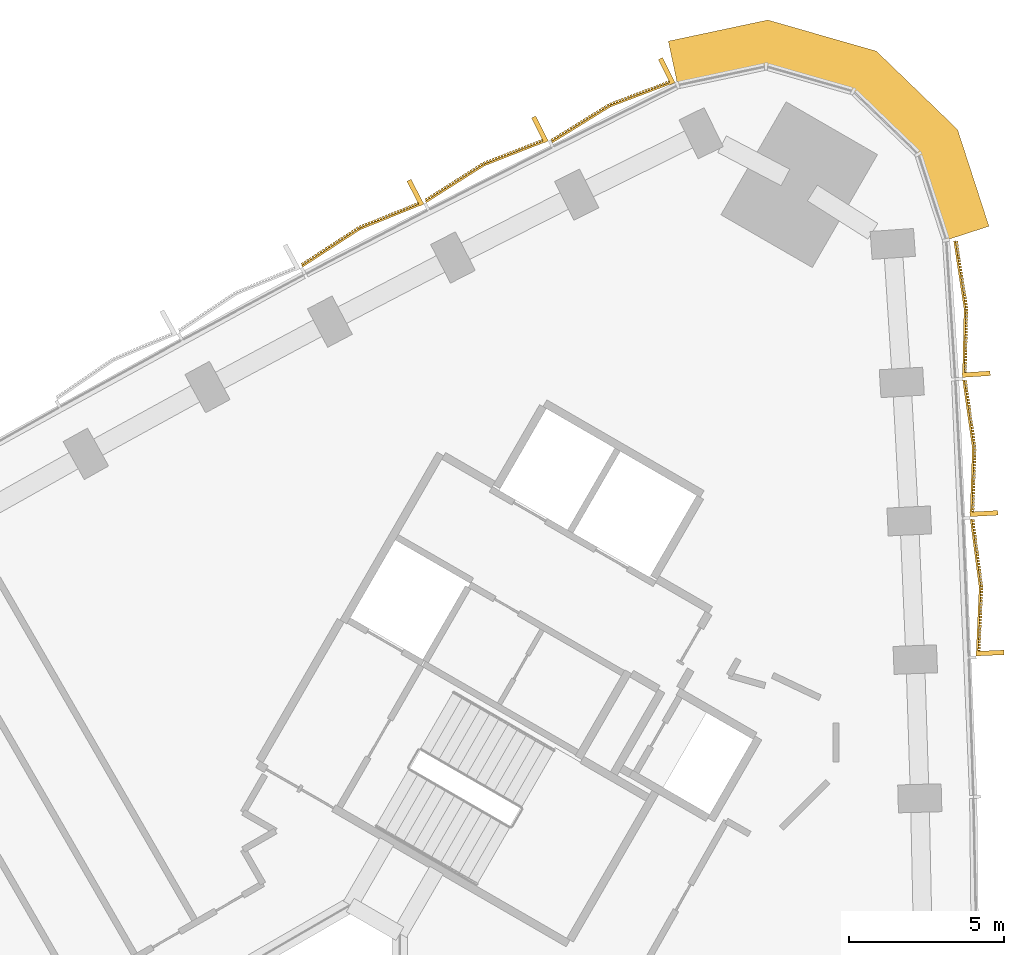
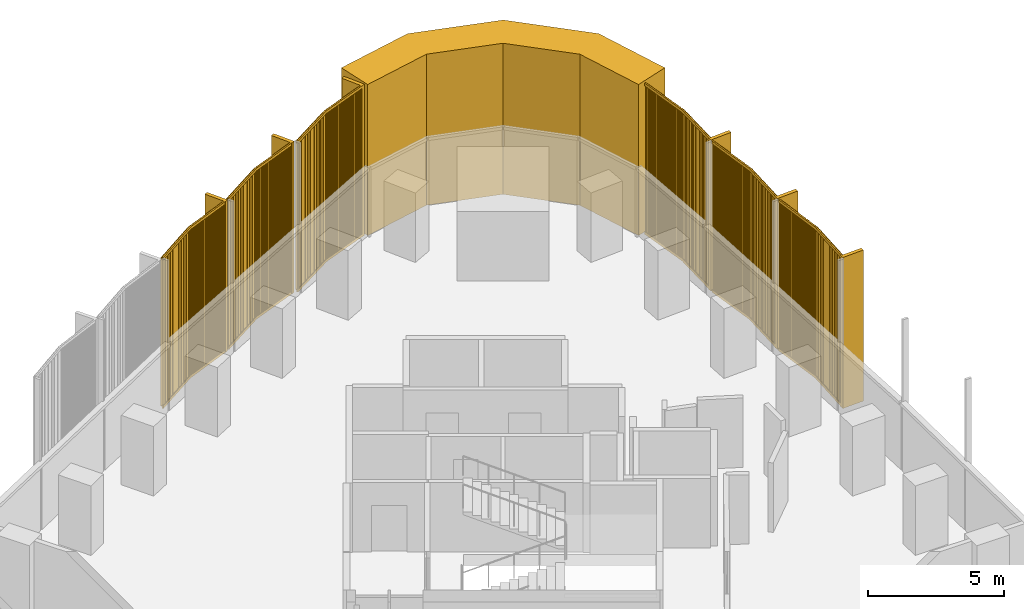
# One storey, part 15 of 15: 7 coverings.
"""IFC4 building model written with IfcOpenShell, lengths in metres."""

from ifc_helpers import new_model, si_unit, direction, frame, frame_2d, origin, place, context, subcontext, project, spatial, polyline, rectangle, outline, extrude, source, transform, mapped, material, layer, layer_set, type_object, element, save


model = new_model("IFC4")

# Units and contexts
model_context = context("Model", 3, precision=1e-05, world=origin(), true_north=direction((0.0, 1.0)))
body_context = subcontext(model_context, "Body", "Model", "MODEL_VIEW")
ifc_project = project(units=[si_unit("LENGTHUNIT", "METRE"), si_unit("AREAUNIT", "SQUARE_METRE"), si_unit("VOLUMEUNIT", "CUBIC_METRE"), si_unit("PLANEANGLEUNIT", "RADIAN"), si_unit("MASSUNIT", "GRAM", prefix="KILO")], contexts=[model_context])

# Site, building, storey
site_placement = place(None, origin())
site = spatial("IfcSite", under=ifc_project, at=site_placement, CompositionType="ELEMENT")
building_placement = place(site_placement, origin())
building = spatial("IfcBuilding", under=site, at=building_placement, Name="Tamra Quay Hotel Tower", CompositionType="ELEMENT")
storey_placement = place(building_placement, frame((0.0, 0.0, 67.39990234375)))
storey = spatial("IfcBuildingStorey", under=building, at=storey_placement, Name="L15", CompositionType="ELEMENT", Elevation=67.39990234375)

# Coverings
ifc_material_1 = material(Name="Precast concrete M60 terracotta-coloured", Category="masonry")
ifc_layer = layer(ifc_material_1, 1.449951171875)
ifc_layer_set = layer_set([ifc_layer], Name="CORNER PIER PANEL")
covering_type_1 = type_object("IfcCoveringType", Name="CORNER PIER PANEL", PredefinedType="CLADDING", material=ifc_layer_set)
covering_placement = place(storey_placement, origin())
element("IfcCovering", 1, at=covering_placement, inside=storey, type_object=covering_type_1, Name="Corner pier L15.east", PredefinedType="CLADDING", context=body_context, shape_type="SweptSolid", body=[
    extrude(outline(polyline([(22.598876953125, 29.154296875), (23.977783203125, 29.602294921875), (22.96533203125, 32.718017578125), (20.3486328125, 35.244873046875), (16.85205078125, 36.24755859375), (13.6474609375, 35.56640625), (13.948974609375, 34.148193359375), (16.7998046875, 34.754150390625), (19.601318359375, 33.95068359375), (21.697998046875, 31.926025390625), (22.598876953125, 29.154296875)])), origin(), (0.0, 0.0, 1.0), 6.800048828125),
])
ifc_material_2 = material(Name="Terracotta baguette extruded", Category="masonry")
covering_type_2 = type_object("IfcCoveringType", Name="BAGUETTE SCREEN E-V H6800", PredefinedType="USERDEFINED", material=ifc_material_2)
shared_shape_1 = source(origin(), body_context, "Body", "SweptSolid", [
    extrude(rectangle(XDim=2.2109375, YDim=0.06005859375, at=frame_2d((1.10546875, 0.030029296875))), frame((-2.207763671875, -0.057861328125, -0.1201171875), z_axis=(0.0, 0.0, 1.0), x_axis=(0.996194698092, -0.087155742748, 0.0)), (0.0, 0.0, 1.0), 0.1201171875),
    extrude(rectangle(XDim=2.2109375, YDim=0.06005859375, at=frame_2d((1.10546875, 0.030029296875))), frame((-2.207763671875, -0.057861328125, -6.800048828125), z_axis=(0.0, 0.0, 1.0), x_axis=(0.996194698092, -0.087155742748, 0.0)), (0.0, 0.0, 1.0), 0.1201171875),
    extrude(rectangle(XDim=0.070068359375, YDim=0.10009765625, at=frame_2d((0.03515625, 0.050048828125))), frame((-2.1875, -0.13232421875, -6.739990234375)), (0.0, 0.0, 1.0), 6.679931640625),
    extrude(rectangle(XDim=0.070068359375, YDim=0.10009765625, at=frame_2d((0.03515625, 0.050048828125))), frame((-2.08740234375, -0.14111328125, -6.739990234375)), (0.0, 0.0, 1.0), 6.679931640625),
    extrude(rectangle(XDim=0.070068359375, YDim=0.10009765625, at=frame_2d((0.03515625, 0.050048828125))), frame((-1.9873046875, -0.14990234375, -6.739990234375)), (0.0, 0.0, 1.0), 6.679931640625),
    extrude(rectangle(XDim=0.070068359375, YDim=0.10009765625, at=frame_2d((0.03515625, 0.050048828125))), frame((-1.88720703125, -0.15869140625, -6.739990234375)), (0.0, 0.0, 1.0), 6.679931640625),
    extrude(rectangle(XDim=0.070068359375, YDim=0.10009765625, at=frame_2d((0.03515625, 0.050048828125))), frame((-1.787109375, -0.16748046875, -6.739990234375)), (0.0, 0.0, 1.0), 6.679931640625),
    extrude(rectangle(XDim=0.070068359375, YDim=0.10009765625, at=frame_2d((0.03515625, 0.050048828125))), frame((-1.686767578125, -0.17626953125, -6.739990234375)), (0.0, 0.0, 1.0), 6.679931640625),
    extrude(rectangle(XDim=0.070068359375, YDim=0.10009765625, at=frame_2d((0.03515625, 0.050048828125))), frame((-1.586669921875, -0.184814453125, -6.739990234375)), (0.0, 0.0, 1.0), 6.679931640625),
    extrude(rectangle(XDim=0.070068359375, YDim=0.10009765625, at=frame_2d((0.03515625, 0.050048828125))), frame((-1.486572265625, -0.193603515625, -6.739990234375)), (0.0, 0.0, 1.0), 6.679931640625),
    extrude(rectangle(XDim=0.070068359375, YDim=0.10009765625, at=frame_2d((0.03515625, 0.050048828125))), frame((-1.386474609375, -0.202392578125, -6.739990234375)), (0.0, 0.0, 1.0), 6.679931640625),
    extrude(rectangle(XDim=0.070068359375, YDim=0.10009765625, at=frame_2d((0.03515625, 0.050048828125))), frame((-1.286376953125, -0.211181640625, -6.739990234375)), (0.0, 0.0, 1.0), 6.679931640625),
    extrude(rectangle(XDim=0.070068359375, YDim=0.10009765625, at=frame_2d((0.03515625, 0.050048828125))), frame((-1.186279296875, -0.219970703125, -6.739990234375)), (0.0, 0.0, 1.0), 6.679931640625),
    extrude(rectangle(XDim=0.070068359375, YDim=0.10009765625, at=frame_2d((0.03515625, 0.050048828125))), frame((-1.086181640625, -0.228759765625, -6.739990234375)), (0.0, 0.0, 1.0), 6.679931640625),
    extrude(rectangle(XDim=0.070068359375, YDim=0.10009765625, at=frame_2d((0.03515625, 0.050048828125))), frame((-0.986083984375, -0.237548828125, -6.739990234375)), (0.0, 0.0, 1.0), 6.679931640625),
    extrude(rectangle(XDim=0.070068359375, YDim=0.10009765625, at=frame_2d((0.03515625, 0.050048828125))), frame((-0.885986328125, -0.246337890625, -6.739990234375)), (0.0, 0.0, 1.0), 6.679931640625),
    extrude(rectangle(XDim=0.070068359375, YDim=0.10009765625, at=frame_2d((0.03515625, 0.050048828125))), frame((-0.785888671875, -0.2548828125, -6.739990234375)), (0.0, 0.0, 1.0), 6.679931640625),
    extrude(rectangle(XDim=0.070068359375, YDim=0.10009765625, at=frame_2d((0.03515625, 0.050048828125))), frame((-0.685791015625, -0.263671875, -6.739990234375)), (0.0, 0.0, 1.0), 6.679931640625),
    extrude(rectangle(XDim=0.070068359375, YDim=0.10009765625, at=frame_2d((0.03515625, 0.050048828125))), frame((-0.585693359375, -0.2724609375, -6.739990234375)), (0.0, 0.0, 1.0), 6.679931640625),
    extrude(rectangle(XDim=0.070068359375, YDim=0.10009765625, at=frame_2d((0.03515625, 0.050048828125))), frame((-0.485595703125, -0.28125, -6.739990234375)), (0.0, 0.0, 1.0), 6.679931640625),
    extrude(rectangle(XDim=0.070068359375, YDim=0.10009765625, at=frame_2d((0.03515625, 0.050048828125))), frame((-0.385498046875, -0.2900390625, -6.739990234375)), (0.0, 0.0, 1.0), 6.679931640625),
    extrude(rectangle(XDim=0.070068359375, YDim=0.10009765625, at=frame_2d((0.03515625, 0.050048828125))), frame((-0.285400390625, -0.298828125, -6.739990234375)), (0.0, 0.0, 1.0), 6.679931640625),
    extrude(rectangle(XDim=0.070068359375, YDim=0.10009765625, at=frame_2d((0.03515625, 0.050048828125))), frame((-0.18505859375, -0.3076171875, -6.739990234375)), (0.0, 0.0, 1.0), 6.679931640625),
    extrude(rectangle(XDim=0.070068359375, YDim=0.10009765625, at=frame_2d((0.03515625, 0.050048828125))), frame((-0.0849609375, -0.31640625, -6.739990234375)), (0.0, 0.0, 1.0), 6.679931640625),
    extrude(rectangle(XDim=2.2109375, YDim=0.06005859375, at=frame_2d((1.10546875, 0.030029296875))), frame((0.005126953125, -0.25048828125, -0.1201171875), z_axis=(0.0, 0.0, 1.0), x_axis=(0.996194698092, 0.087155742748, 0.0)), (0.0, 0.0, 1.0), 0.1201171875),
    extrude(rectangle(XDim=2.2109375, YDim=0.06005859375, at=frame_2d((1.10546875, 0.030029296875))), frame((0.005126953125, -0.25048828125, -6.800048828125), z_axis=(0.0, 0.0, 1.0), x_axis=(0.996194698092, 0.087155742748, 0.0)), (0.0, 0.0, 1.0), 0.1201171875),
    extrude(rectangle(XDim=0.070068359375, YDim=0.10009765625, at=frame_2d((0.03515625, 0.050048828125))), frame((0.01513671875, -0.31640625, -6.739990234375)), (0.0, 0.0, 1.0), 6.679931640625),
    extrude(rectangle(XDim=0.070068359375, YDim=0.10009765625, at=frame_2d((0.03515625, 0.050048828125))), frame((0.115234375, -0.3076171875, -6.739990234375)), (0.0, 0.0, 1.0), 6.679931640625),
    extrude(rectangle(XDim=0.070068359375, YDim=0.10009765625, at=frame_2d((0.03515625, 0.050048828125))), frame((0.21533203125, -0.298828125, -6.739990234375)), (0.0, 0.0, 1.0), 6.679931640625),
    extrude(rectangle(XDim=0.070068359375, YDim=0.10009765625, at=frame_2d((0.03515625, 0.050048828125))), frame((0.3154296875, -0.2900390625, -6.739990234375)), (0.0, 0.0, 1.0), 6.679931640625),
    extrude(rectangle(XDim=0.070068359375, YDim=0.10009765625, at=frame_2d((0.03515625, 0.050048828125))), frame((0.41552734375, -0.28125, -6.739990234375)), (0.0, 0.0, 1.0), 6.679931640625),
    extrude(rectangle(XDim=0.070068359375, YDim=0.10009765625, at=frame_2d((0.03515625, 0.050048828125))), frame((0.515625, -0.2724609375, -6.739990234375)), (0.0, 0.0, 1.0), 6.679931640625),
    extrude(rectangle(XDim=0.070068359375, YDim=0.10009765625, at=frame_2d((0.03515625, 0.050048828125))), frame((0.61572265625, -0.263671875, -6.739990234375)), (0.0, 0.0, 1.0), 6.679931640625),
    extrude(rectangle(XDim=0.070068359375, YDim=0.10009765625, at=frame_2d((0.03515625, 0.050048828125))), frame((0.7158203125, -0.2548828125, -6.739990234375)), (0.0, 0.0, 1.0), 6.679931640625),
    extrude(rectangle(XDim=0.070068359375, YDim=0.10009765625, at=frame_2d((0.03515625, 0.050048828125))), frame((0.81591796875, -0.246337890625, -6.739990234375)), (0.0, 0.0, 1.0), 6.679931640625),
    extrude(rectangle(XDim=0.070068359375, YDim=0.10009765625, at=frame_2d((0.03515625, 0.050048828125))), frame((0.916015625, -0.237548828125, -6.739990234375)), (0.0, 0.0, 1.0), 6.679931640625),
    extrude(rectangle(XDim=0.070068359375, YDim=0.10009765625, at=frame_2d((0.03515625, 0.050048828125))), frame((1.01611328125, -0.228759765625, -6.739990234375)), (0.0, 0.0, 1.0), 6.679931640625),
    extrude(rectangle(XDim=0.070068359375, YDim=0.10009765625, at=frame_2d((0.03515625, 0.050048828125))), frame((1.1162109375, -0.219970703125, -6.739990234375)), (0.0, 0.0, 1.0), 6.679931640625),
    extrude(rectangle(XDim=0.070068359375, YDim=0.10009765625, at=frame_2d((0.03515625, 0.050048828125))), frame((1.21630859375, -0.211181640625, -6.739990234375)), (0.0, 0.0, 1.0), 6.679931640625),
    extrude(rectangle(XDim=0.070068359375, YDim=0.10009765625, at=frame_2d((0.03515625, 0.050048828125))), frame((1.316650390625, -0.202392578125, -6.739990234375)), (0.0, 0.0, 1.0), 6.679931640625),
    extrude(rectangle(XDim=0.070068359375, YDim=0.10009765625, at=frame_2d((0.03515625, 0.050048828125))), frame((1.416748046875, -0.193603515625, -6.739990234375)), (0.0, 0.0, 1.0), 6.679931640625),
    extrude(rectangle(XDim=0.070068359375, YDim=0.10009765625, at=frame_2d((0.03515625, 0.050048828125))), frame((1.516845703125, -0.184814453125, -6.739990234375)), (0.0, 0.0, 1.0), 6.679931640625),
    extrude(rectangle(XDim=0.070068359375, YDim=0.10009765625, at=frame_2d((0.03515625, 0.050048828125))), frame((1.616943359375, -0.17626953125, -6.739990234375)), (0.0, 0.0, 1.0), 6.679931640625),
    extrude(rectangle(XDim=0.070068359375, YDim=0.10009765625, at=frame_2d((0.03515625, 0.050048828125))), frame((1.717041015625, -0.16748046875, -6.739990234375)), (0.0, 0.0, 1.0), 6.679931640625),
    extrude(rectangle(XDim=0.070068359375, YDim=0.10009765625, at=frame_2d((0.03515625, 0.050048828125))), frame((1.817138671875, -0.15869140625, -6.739990234375)), (0.0, 0.0, 1.0), 6.679931640625),
    extrude(rectangle(XDim=0.070068359375, YDim=0.10009765625, at=frame_2d((0.03515625, 0.050048828125))), frame((1.917236328125, -0.14990234375, -6.739990234375)), (0.0, 0.0, 1.0), 6.679931640625),
    extrude(rectangle(XDim=0.070068359375, YDim=0.10009765625, at=frame_2d((0.03515625, 0.050048828125))), frame((2.017333984375, -0.14111328125, -6.739990234375)), (0.0, 0.0, 1.0), 6.679931640625),
    extrude(rectangle(XDim=0.070068359375, YDim=0.10009765625, at=frame_2d((0.03515625, 0.050048828125))), frame((2.117431640625, -0.13232421875, -6.739990234375)), (0.0, 0.0, 1.0), 6.679931640625),
    extrude(rectangle(XDim=0.14990234375, YDim=0.902099609375, at=frame_2d((0.074951171875, 0.451171875))), frame((-2.202392578125, -0.89990234375, -6.800048828125)), (0.0, 0.0, 1.0), 6.800048828125),
])
for number, where, z_axis, x_axis, name in (
    (2, (23.46728515625, 17.96044921875, 6.800048828125), (0.0, 0.0, 1.0), (-0.04328585604, 0.999062728094, 0.0), "Baguette screen L15.E.f10"),
    (3, (23.248779296875, 22.44677734375, 6.800048828125), (0.0, 0.0, 1.0), (-0.054062166947, 0.998537571704, 0.0), "Baguette screen L15.E.f11"),
    (4, (22.981689453125, 26.93017578125, 6.800048828125), (0.0, 0.0, 1.0), (-0.064813190551, 0.997897414733, 0.0), "Baguette screen L15.E.f12"),
):
    element("IfcCovering", number, at=place(storey_placement, frame(where, z_axis=z_axis, x_axis=x_axis)), inside=storey, type_object=covering_type_2, Name=name, ObjectType="BAGUETTE SCREEN", PredefinedType="USERDEFINED", context=body_context, shape_type="MappedRepresentation", body=[
        mapped(shared_shape_1, transform((0.0, 0.0, 0.0), scale=1.0)),
    ])
covering_type_3 = type_object("IfcCoveringType", Name="BAGUETTE SCREEN NW-V H6800", PredefinedType="USERDEFINED", material=ifc_material_2)
shared_shape_2 = source(origin(), body_context, "Body", "SweptSolid", [
    extrude(rectangle(XDim=2.212646484375, YDim=0.06005859375, at=frame_2d((1.1064453125, 0.030029296875))), frame((-2.208251953125, -0.0576171875, -0.1201171875), z_axis=(0.0, 0.0, 1.0), x_axis=(0.995396198367, -0.09584575252, 0.0)), (0.0, 0.0, 1.0), 0.1201171875),
    extrude(rectangle(XDim=2.212646484375, YDim=0.06005859375, at=frame_2d((1.1064453125, 0.030029296875))), frame((-2.208251953125, -0.0576171875, -6.800048828125), z_axis=(0.0, 0.0, 1.0), x_axis=(0.995396198367, -0.09584575252, 0.0)), (0.0, 0.0, 1.0), 0.1201171875),
    extrude(rectangle(XDim=0.070068359375, YDim=0.10009765625, at=frame_2d((0.03515625, 0.050048828125))), frame((-2.1875, -0.1328125, -6.739990234375)), (0.0, 0.0, 1.0), 6.679931640625),
    extrude(rectangle(XDim=0.070068359375, YDim=0.10009765625, at=frame_2d((0.03515625, 0.050048828125))), frame((-2.08740234375, -0.142578125, -6.739990234375)), (0.0, 0.0, 1.0), 6.679931640625),
    extrude(rectangle(XDim=0.070068359375, YDim=0.10009765625, at=frame_2d((0.03515625, 0.050048828125))), frame((-1.9873046875, -0.152099609375, -6.739990234375)), (0.0, 0.0, 1.0), 6.679931640625),
    extrude(rectangle(XDim=0.070068359375, YDim=0.10009765625, at=frame_2d((0.03515625, 0.050048828125))), frame((-1.88720703125, -0.16162109375, -6.739990234375)), (0.0, 0.0, 1.0), 6.679931640625),
    extrude(rectangle(XDim=0.070068359375, YDim=0.10009765625, at=frame_2d((0.03515625, 0.050048828125))), frame((-1.787109375, -0.17138671875, -6.739990234375)), (0.0, 0.0, 1.0), 6.679931640625),
    extrude(rectangle(XDim=0.070068359375, YDim=0.10009765625, at=frame_2d((0.03515625, 0.050048828125))), frame((-1.686767578125, -0.180908203125, -6.739990234375)), (0.0, 0.0, 1.0), 6.679931640625),
    extrude(rectangle(XDim=0.070068359375, YDim=0.10009765625, at=frame_2d((0.03515625, 0.050048828125))), frame((-1.586669921875, -0.190673828125, -6.739990234375)), (0.0, 0.0, 1.0), 6.679931640625),
    extrude(rectangle(XDim=0.070068359375, YDim=0.10009765625, at=frame_2d((0.03515625, 0.050048828125))), frame((-1.486572265625, -0.2001953125, -6.739990234375)), (0.0, 0.0, 1.0), 6.679931640625),
    extrude(rectangle(XDim=0.070068359375, YDim=0.10009765625, at=frame_2d((0.03515625, 0.050048828125))), frame((-1.386474609375, -0.2099609375, -6.739990234375)), (0.0, 0.0, 1.0), 6.679931640625),
    extrude(rectangle(XDim=0.070068359375, YDim=0.10009765625, at=frame_2d((0.03515625, 0.050048828125))), frame((-1.286376953125, -0.219482421875, -6.739990234375)), (0.0, 0.0, 1.0), 6.679931640625),
    extrude(rectangle(XDim=0.070068359375, YDim=0.10009765625, at=frame_2d((0.03515625, 0.050048828125))), frame((-1.186279296875, -0.229248046875, -6.739990234375)), (0.0, 0.0, 1.0), 6.679931640625),
    extrude(rectangle(XDim=0.070068359375, YDim=0.10009765625, at=frame_2d((0.03515625, 0.050048828125))), frame((-1.086181640625, -0.23876953125, -6.739990234375)), (0.0, 0.0, 1.0), 6.679931640625),
    extrude(rectangle(XDim=0.070068359375, YDim=0.10009765625, at=frame_2d((0.03515625, 0.050048828125))), frame((-0.986083984375, -0.24853515625, -6.739990234375)), (0.0, 0.0, 1.0), 6.679931640625),
    extrude(rectangle(XDim=0.070068359375, YDim=0.10009765625, at=frame_2d((0.03515625, 0.050048828125))), frame((-0.885986328125, -0.258056640625, -6.739990234375)), (0.0, 0.0, 1.0), 6.679931640625),
    extrude(rectangle(XDim=0.070068359375, YDim=0.10009765625, at=frame_2d((0.03515625, 0.050048828125))), frame((-0.785888671875, -0.267822265625, -6.739990234375)), (0.0, 0.0, 1.0), 6.679931640625),
    extrude(rectangle(XDim=0.070068359375, YDim=0.10009765625, at=frame_2d((0.03515625, 0.050048828125))), frame((-0.685791015625, -0.27734375, -6.739990234375)), (0.0, 0.0, 1.0), 6.679931640625),
    extrude(rectangle(XDim=0.070068359375, YDim=0.10009765625, at=frame_2d((0.03515625, 0.050048828125))), frame((-0.585693359375, -0.287109375, -6.739990234375)), (0.0, 0.0, 1.0), 6.679931640625),
    extrude(rectangle(XDim=0.070068359375, YDim=0.10009765625, at=frame_2d((0.03515625, 0.050048828125))), frame((-0.485595703125, -0.296630859375, -6.739990234375)), (0.0, 0.0, 1.0), 6.679931640625),
    extrude(rectangle(XDim=0.070068359375, YDim=0.10009765625, at=frame_2d((0.03515625, 0.050048828125))), frame((-0.385498046875, -0.306396484375, -6.739990234375)), (0.0, 0.0, 1.0), 6.679931640625),
    extrude(rectangle(XDim=0.070068359375, YDim=0.10009765625, at=frame_2d((0.03515625, 0.050048828125))), frame((-0.285400390625, -0.31591796875, -6.739990234375)), (0.0, 0.0, 1.0), 6.679931640625),
    extrude(rectangle(XDim=0.070068359375, YDim=0.10009765625, at=frame_2d((0.03515625, 0.050048828125))), frame((-0.18505859375, -0.32568359375, -6.739990234375)), (0.0, 0.0, 1.0), 6.679931640625),
    extrude(rectangle(XDim=0.070068359375, YDim=0.10009765625, at=frame_2d((0.03515625, 0.050048828125))), frame((-0.0849609375, -0.335205078125, -6.739990234375)), (0.0, 0.0, 1.0), 6.679931640625),
    extrude(rectangle(XDim=2.212646484375, YDim=0.06005859375, at=frame_2d((1.1064453125, 0.030029296875))), frame((0.005859375, -0.269775390625, -0.1201171875), z_axis=(0.0, 0.0, 1.0), x_axis=(0.995396198367, 0.09584575252, 0.0)), (0.0, 0.0, 1.0), 0.1201171875),
    extrude(rectangle(XDim=2.212646484375, YDim=0.06005859375, at=frame_2d((1.1064453125, 0.030029296875))), frame((0.005859375, -0.269775390625, -6.800048828125), z_axis=(0.0, 0.0, 1.0), x_axis=(0.995396198367, 0.09584575252, 0.0)), (0.0, 0.0, 1.0), 0.1201171875),
    extrude(rectangle(XDim=0.070068359375, YDim=0.10009765625, at=frame_2d((0.03515625, 0.050048828125))), frame((0.01513671875, -0.335205078125, -6.739990234375)), (0.0, 0.0, 1.0), 6.679931640625),
    extrude(rectangle(XDim=0.070068359375, YDim=0.10009765625, at=frame_2d((0.03515625, 0.050048828125))), frame((0.115234375, -0.32568359375, -6.739990234375)), (0.0, 0.0, 1.0), 6.679931640625),
    extrude(rectangle(XDim=0.070068359375, YDim=0.10009765625, at=frame_2d((0.03515625, 0.050048828125))), frame((0.21533203125, -0.31591796875, -6.739990234375)), (0.0, 0.0, 1.0), 6.679931640625),
    extrude(rectangle(XDim=0.070068359375, YDim=0.10009765625, at=frame_2d((0.03515625, 0.050048828125))), frame((0.3154296875, -0.306396484375, -6.739990234375)), (0.0, 0.0, 1.0), 6.679931640625),
    extrude(rectangle(XDim=0.070068359375, YDim=0.10009765625, at=frame_2d((0.03515625, 0.050048828125))), frame((0.41552734375, -0.296630859375, -6.739990234375)), (0.0, 0.0, 1.0), 6.679931640625),
    extrude(rectangle(XDim=0.070068359375, YDim=0.10009765625, at=frame_2d((0.03515625, 0.050048828125))), frame((0.515625, -0.287109375, -6.739990234375)), (0.0, 0.0, 1.0), 6.679931640625),
    extrude(rectangle(XDim=0.070068359375, YDim=0.10009765625, at=frame_2d((0.03515625, 0.050048828125))), frame((0.61572265625, -0.27734375, -6.739990234375)), (0.0, 0.0, 1.0), 6.679931640625),
    extrude(rectangle(XDim=0.070068359375, YDim=0.10009765625, at=frame_2d((0.03515625, 0.050048828125))), frame((0.7158203125, -0.267822265625, -6.739990234375)), (0.0, 0.0, 1.0), 6.679931640625),
    extrude(rectangle(XDim=0.070068359375, YDim=0.10009765625, at=frame_2d((0.03515625, 0.050048828125))), frame((0.81591796875, -0.258056640625, -6.739990234375)), (0.0, 0.0, 1.0), 6.679931640625),
    extrude(rectangle(XDim=0.070068359375, YDim=0.10009765625, at=frame_2d((0.03515625, 0.050048828125))), frame((0.916015625, -0.24853515625, -6.739990234375)), (0.0, 0.0, 1.0), 6.679931640625),
    extrude(rectangle(XDim=0.070068359375, YDim=0.10009765625, at=frame_2d((0.03515625, 0.050048828125))), frame((1.01611328125, -0.23876953125, -6.739990234375)), (0.0, 0.0, 1.0), 6.679931640625),
    extrude(rectangle(XDim=0.070068359375, YDim=0.10009765625, at=frame_2d((0.03515625, 0.050048828125))), frame((1.1162109375, -0.229248046875, -6.739990234375)), (0.0, 0.0, 1.0), 6.679931640625),
    extrude(rectangle(XDim=0.070068359375, YDim=0.10009765625, at=frame_2d((0.03515625, 0.050048828125))), frame((1.21630859375, -0.219482421875, -6.739990234375)), (0.0, 0.0, 1.0), 6.679931640625),
    extrude(rectangle(XDim=0.070068359375, YDim=0.10009765625, at=frame_2d((0.03515625, 0.050048828125))), frame((1.316650390625, -0.2099609375, -6.739990234375)), (0.0, 0.0, 1.0), 6.679931640625),
    extrude(rectangle(XDim=0.070068359375, YDim=0.10009765625, at=frame_2d((0.03515625, 0.050048828125))), frame((1.416748046875, -0.2001953125, -6.739990234375)), (0.0, 0.0, 1.0), 6.679931640625),
    extrude(rectangle(XDim=0.070068359375, YDim=0.10009765625, at=frame_2d((0.03515625, 0.050048828125))), frame((1.516845703125, -0.190673828125, -6.739990234375)), (0.0, 0.0, 1.0), 6.679931640625),
    extrude(rectangle(XDim=0.070068359375, YDim=0.10009765625, at=frame_2d((0.03515625, 0.050048828125))), frame((1.616943359375, -0.180908203125, -6.739990234375)), (0.0, 0.0, 1.0), 6.679931640625),
    extrude(rectangle(XDim=0.070068359375, YDim=0.10009765625, at=frame_2d((0.03515625, 0.050048828125))), frame((1.717041015625, -0.17138671875, -6.739990234375)), (0.0, 0.0, 1.0), 6.679931640625),
    extrude(rectangle(XDim=0.070068359375, YDim=0.10009765625, at=frame_2d((0.03515625, 0.050048828125))), frame((1.817138671875, -0.16162109375, -6.739990234375)), (0.0, 0.0, 1.0), 6.679931640625),
    extrude(rectangle(XDim=0.070068359375, YDim=0.10009765625, at=frame_2d((0.03515625, 0.050048828125))), frame((1.917236328125, -0.152099609375, -6.739990234375)), (0.0, 0.0, 1.0), 6.679931640625),
    extrude(rectangle(XDim=0.070068359375, YDim=0.10009765625, at=frame_2d((0.03515625, 0.050048828125))), frame((2.017333984375, -0.142578125, -6.739990234375)), (0.0, 0.0, 1.0), 6.679931640625),
    extrude(rectangle(XDim=0.070068359375, YDim=0.10009765625, at=frame_2d((0.03515625, 0.050048828125))), frame((2.117431640625, -0.1328125, -6.739990234375)), (0.0, 0.0, 1.0), 6.679931640625),
    extrude(rectangle(XDim=0.14990234375, YDim=0.902099609375, at=frame_2d((0.074951171875, 0.451171875))), frame((-2.202392578125, -0.89990234375, -6.800048828125)), (0.0, 0.0, 1.0), 6.800048828125),
])
for number, where, z_axis, x_axis, name in (
    (5, (11.884521484375, 33.26025390625, 6.800048828125), (0.0, 0.0, 1.0), (-0.896611106805, -0.442818837849, 0.0), "Baguette screen L15.NW.f00"),
    (6, (7.815185546875, 31.357177734375, 6.800048828125), (0.0, 0.0, 1.0), (-0.891789987202, -0.452449575893, 0.0), "Baguette screen L15.NW.f01"),
    (7, (3.820556640625, 29.303466796875, 6.800048828125), (0.0, 0.0, 1.0), (-0.886856630524, -0.462044713092, 0.0), "Baguette screen L15.NW.f02"),
):
    element("IfcCovering", number, at=place(storey_placement, frame(where, z_axis=z_axis, x_axis=x_axis)), inside=storey, type_object=covering_type_3, Name=name, ObjectType="BAGUETTE SCREEN", PredefinedType="USERDEFINED", context=body_context, shape_type="MappedRepresentation", body=[
        mapped(shared_shape_2, transform((0.0, 0.0, 0.0), scale=1.0)),
    ])

save(model, "model.ifc")
